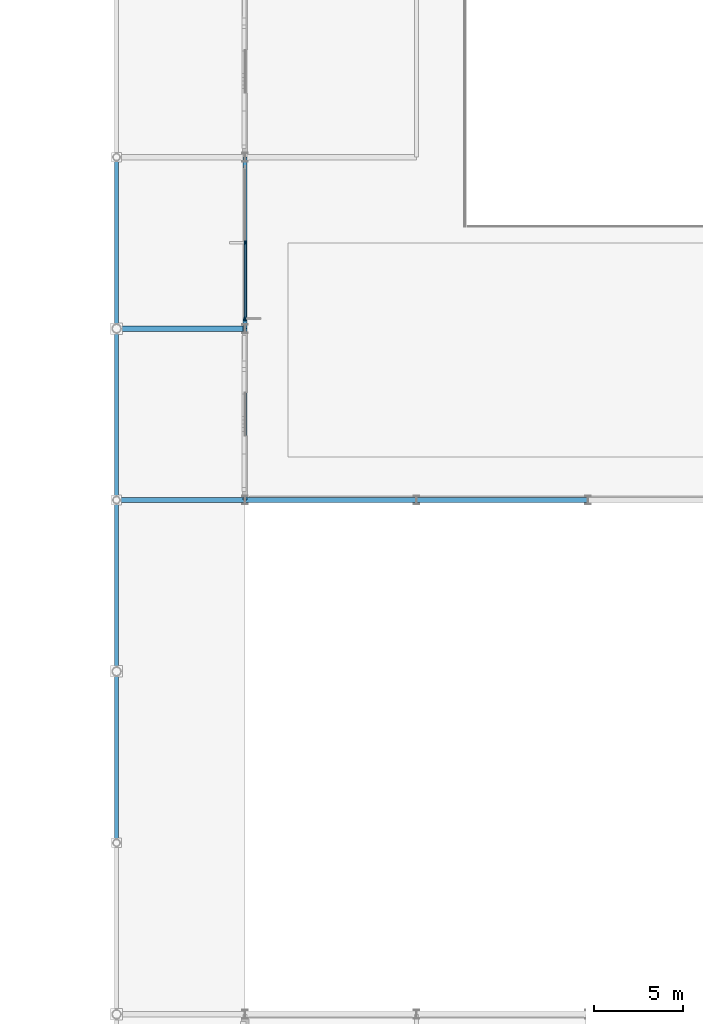
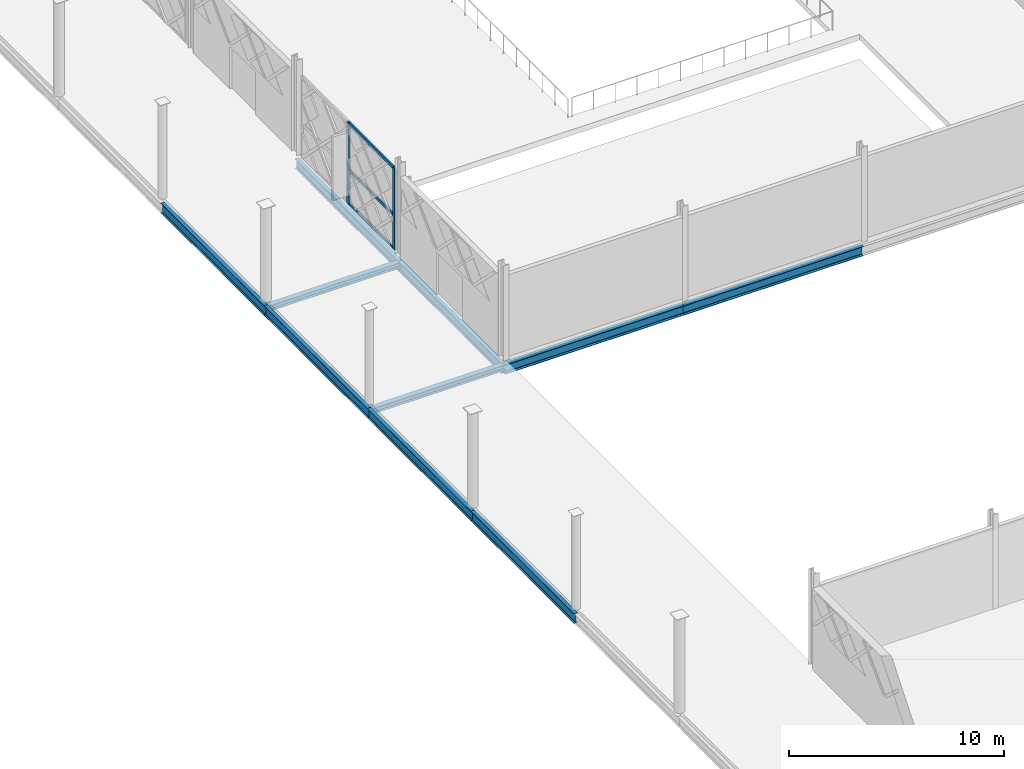
# One storey, part 34 of 84: 10 beams, 5 members, 1 element without a shape of its own.
"""IFC4 building model written with IfcOpenShell, lengths in metres."""

from ifc_helpers import new_model, si_unit, direction, frame, origin, origin_2d, place, context, subcontext, project, spatial, rectangle, i_section, extrude, material, layer, layer_set, material_profile, profile_set, type_object, element, aggregate, save


model = new_model("IFC4")

# Units and contexts
model_context = context("Model", 3, precision=1e-05, world=origin(), true_north=direction((0.0, 1.0)))
body_context = subcontext(model_context, "Body", "Model", "MODEL_VIEW")
ifc_project = project(units=[si_unit("LENGTHUNIT", "METRE"), si_unit("AREAUNIT", "SQUARE_METRE"), si_unit("VOLUMEUNIT", "CUBIC_METRE"), si_unit("PLANEANGLEUNIT", "RADIAN"), si_unit("MASSUNIT", "GRAM", prefix="KILO")], contexts=[model_context])

# Site, building, storey
site_placement = place(None, origin())
site = spatial("IfcSite", under=ifc_project, at=site_placement, CompositionType="ELEMENT")
building_placement = place(site_placement, origin())
building = spatial("IfcBuilding", under=site, at=building_placement, Name="Zevrakil Square Congress Hotel", CompositionType="ELEMENT")
storey_placement = place(building_placement, origin())
storey = spatial("IfcBuildingStorey", under=building, at=storey_placement, Name="L01", CompositionType="ELEMENT", Elevation=0.0)

# Beams
ifc_material_1 = material(Name="Steel S355", Category="steel")
ifc_material_profile_1 = material_profile(ifc_material_1, i_section(OverallWidth=0.300048828125, OverallDepth=0.31005859375, WebThickness=0.009033203125, FlangeThickness=0.015380859375, FilletRadius=0.027099609375, at=origin_2d()), Name="HEA 320")
ifc_profile_set_1 = profile_set([ifc_material_profile_1], Name="Steel S355")
beam_type_1 = type_object("IfcBeamType", Name="BM-HEA320", PredefinedType="BEAM", material=ifc_profile_set_1)
for number, where, z_axis, x_axis, name in (
    (1, (0.0, 74.39990234375, -0.47509765625), (1.0, 0.0, 0.0), (0.0, 1.0, 0.0), "L01 primary girder BX-0379"),
    (2, (0.0, 84.0, -0.47509765625), (1.0, 0.0, 0.0), (0.0, 1.0, 0.0), "L01 primary girder BX-0388"),
):
    element("IfcBeam", number, at=place(storey_placement, frame(where, z_axis=z_axis, x_axis=x_axis)), inside=storey, type_object=beam_type_1, Name=name, PredefinedType="BEAM", context=body_context, shape_type="SweptSolid", body=[
        extrude(i_section(OverallWidth=0.300048828125, OverallDepth=0.31005859375, WebThickness=0.009033203125, FlangeThickness=0.015380859375, FilletRadius=0.027099609375, at=origin_2d()), origin(), (0.0, 0.0, 1.0), 7.199951171875),
    ])
ifc_material_2 = material(Name="Steel S355", Category="steel")
ifc_material_profile_2 = material_profile(ifc_material_2, i_section(OverallWidth=0.300048828125, OverallDepth=0.5400390625, WebThickness=0.012451171875, FlangeThickness=0.02392578125, FilletRadius=0.027099609375, at=origin_2d()), Name="HEA 550")
ifc_profile_set_2 = profile_set([ifc_material_profile_2], Name="Steel S355")
beam_type_2 = type_object("IfcBeamType", Name="BM-HEA550", PredefinedType="BEAM", material=ifc_profile_set_2)
beam_1_placement = place(storey_placement, frame((7.199951171875, 74.39990234375, -0.590087890625), z_axis=(1.0, 0.0, 0.0), x_axis=(0.0, 1.0, 0.0)))
element("IfcBeam", 3, at=beam_1_placement, inside=storey, type_object=beam_type_2, Name="L01 primary girder BX-0380", PredefinedType="BEAM", context=body_context, shape_type="SweptSolid", body=[
    extrude(i_section(OverallWidth=0.300048828125, OverallDepth=0.5400390625, WebThickness=0.012451171875, FlangeThickness=0.02392578125, FilletRadius=0.027099609375, at=origin_2d()), origin(), (0.0, 0.0, 1.0), 9.60009765625),
])
beam_2_placement = place(storey_placement, frame((16.800048828125, 74.39990234375, -0.590087890625), z_axis=(1.0, 0.0, 0.0), x_axis=(0.0, 1.0, 0.0)))
element("IfcBeam", 4, at=beam_2_placement, inside=storey, type_object=beam_type_2, Name="L01 primary girder BX-0381", PredefinedType="BEAM", context=body_context, shape_type="SweptSolid", body=[
    extrude(i_section(OverallWidth=0.300048828125, OverallDepth=0.5400390625, WebThickness=0.012451171875, FlangeThickness=0.02392578125, FilletRadius=0.027099609375, at=origin_2d()), origin(), (0.0, 0.0, 1.0), 9.599853515625),
])
ifc_material_3 = material(Name="Steel S355", Category="steel")
ifc_material_profile_3 = material_profile(ifc_material_3, i_section(OverallWidth=0.2099609375, OverallDepth=0.550048828125, WebThickness=0.010986328125, FlangeThickness=0.01708984375, FilletRadius=0.02392578125, at=origin_2d()), Name="IPE 550")
ifc_profile_set_3 = profile_set([ifc_material_profile_3], Name="Steel S355")
beam_type_3 = type_object("IfcBeamType", Name="BM-IPE550", PredefinedType="BEAM", material=ifc_profile_set_3)
beam_3_placement = place(storey_placement, frame((0.0, 55.199951171875, -0.594970703125), z_axis=(0.0, 1.0, 0.0), x_axis=(-1.0, 0.0, 0.0)))
element("IfcBeam", 5, at=beam_3_placement, inside=storey, type_object=beam_type_3, Name="L01 primary girder BY-0465", PredefinedType="BEAM", context=body_context, shape_type="SweptSolid", body=[
    extrude(i_section(OverallWidth=0.2099609375, OverallDepth=0.550048828125, WebThickness=0.010986328125, FlangeThickness=0.01708984375, FilletRadius=0.02392578125, at=origin_2d()), origin(), (0.0, 0.0, 1.0), 9.60009765625),
])
beam_4_placement = place(storey_placement, frame((0.0, 64.800048828125, -0.594970703125), z_axis=(0.0, 1.0, 0.0), x_axis=(-1.0, 0.0, 0.0)))
element("IfcBeam", 6, at=beam_4_placement, inside=storey, type_object=beam_type_3, Name="L01 primary girder BY-0466", PredefinedType="BEAM", context=body_context, shape_type="SweptSolid", body=[
    extrude(i_section(OverallWidth=0.2099609375, OverallDepth=0.550048828125, WebThickness=0.010986328125, FlangeThickness=0.01708984375, FilletRadius=0.02392578125, at=origin_2d()), origin(), (0.0, 0.0, 1.0), 9.599853515625),
])
for number, where, z_axis, x_axis, name in (
    (7, (0.0, 74.39990234375, -0.594970703125), (0.0, 1.0, 0.0), (-1.0, 0.0, 0.0), "L01 primary girder BY-0467"),
    (8, (0.0, 84.0, -0.594970703125), (0.0, 1.0, 0.0), (-1.0, 0.0, 0.0), "L01 primary girder BY-0468"),
    (9, (7.199951171875, 74.39990234375, -0.594970703125), (0.0, 1.0, 0.0), (-1.0, 0.0, 0.0), "L01 primary girder BY-0476"),
    (10, (7.199951171875, 84.0, -0.594970703125), (0.0, 1.0, 0.0), (-1.0, 0.0, 0.0), "L01 primary girder BY-0477"),
):
    element("IfcBeam", number, at=place(storey_placement, frame(where, z_axis=z_axis, x_axis=x_axis)), inside=storey, type_object=beam_type_3, Name=name, PredefinedType="BEAM", context=body_context, shape_type="SweptSolid", body=[
        extrude(i_section(OverallWidth=0.2099609375, OverallDepth=0.550048828125, WebThickness=0.010986328125, FlangeThickness=0.01708984375, FilletRadius=0.02392578125, at=origin_2d()), origin(), (0.0, 0.0, 1.0), 9.60009765625),
    ])

# Curtain wall, members
ifc_material_4 = material(Name="Aluminium Anodised Bronze", Category="aluminium")
ifc_layer = layer(ifc_material_4, 0.179931640625)
ifc_layer_set = layer_set([ifc_layer], Name="Aluminium Anodised Bronze")
curtain_wall_type = type_object("IfcCurtainWallType", Name="CW-L01-840", PredefinedType="USERDEFINED", material=ifc_layer_set)
curtain_wall_placement = place(storey_placement, origin())
curtain_wall = element("IfcCurtainWall", 11, at=curtain_wall_placement, inside=storey, type_object=curtain_wall_type, Name="L01 diamond curtain wall CW-L01-0020", ObjectType="GLAZED CURTAIN WALL", PredefinedType="USERDEFINED")
ifc_material_5 = material(Name="Aluminium Anodised Bronze", Category="aluminium")
ifc_material_profile_4 = material_profile(ifc_material_5, rectangle(XDim=0.0849609375, YDim=0.179931640625, at=origin_2d()), Name="ALU 85x180")
ifc_profile_set_4 = profile_set([ifc_material_profile_4], Name="Aluminium Anodised Bronze")
member_type_1 = type_object("IfcMemberType", Name="CWM-ALU85x180", PredefinedType="USERDEFINED", material=ifc_profile_set_4)
member_1_placement = place(storey_placement, frame((7.199951171875, 84.580078125, 0.030029296875), z_axis=(0.0, 1.0, 0.0), x_axis=(-1.0, 0.0, 0.0)))
member_1 = element("IfcMember", 12, at=member_1_placement, type_object=member_type_1, Name="CW-11 transom 1.1", ObjectType="TRANSOM", PredefinedType="USERDEFINED", context=body_context, shape_type="SweptSolid", body=[
    extrude(rectangle(XDim=0.0849609375, YDim=0.179931640625, at=origin_2d()), origin(), (0.0, 0.0, 1.0), 4.18994140625),
])
member_2_placement = place(storey_placement, frame((7.199951171875, 84.580078125, 1.9423828125), z_axis=(0.0, 1.0, 0.0), x_axis=(-1.0, 0.0, 0.0)))
member_2 = element("IfcMember", 13, at=member_2_placement, type_object=member_type_1, Name="CW-11 transom 1.2", ObjectType="TRANSOM", PredefinedType="USERDEFINED", context=body_context, shape_type="SweptSolid", body=[
    extrude(rectangle(XDim=0.0849609375, YDim=0.179931640625, at=origin_2d()), origin(), (0.0, 0.0, 1.0), 4.18994140625),
])
member_3_placement = place(storey_placement, frame((7.199951171875, 84.580078125, 4.594970703125), z_axis=(0.0, 1.0, 0.0), x_axis=(-1.0, 0.0, 0.0)))
member_3 = element("IfcMember", 14, at=member_3_placement, type_object=member_type_1, Name="CW-11 transom 1.3", ObjectType="TRANSOM", PredefinedType="USERDEFINED", context=body_context, shape_type="SweptSolid", body=[
    extrude(rectangle(XDim=0.0849609375, YDim=0.179931640625, at=origin_2d()), origin(), (0.0, 0.0, 1.0), 4.18994140625),
])
ifc_material_6 = material(Name="Aluminium Anodised Bronze", Category="aluminium")
ifc_material_profile_5 = material_profile(ifc_material_6, rectangle(XDim=0.0849609375, YDim=0.219970703125, at=origin_2d()), Name="ALU 85x220")
ifc_profile_set_5 = profile_set([ifc_material_profile_5], Name="Aluminium Anodised Bronze")
member_type_2 = type_object("IfcMemberType", Name="CWM-ALU85x220", PredefinedType="MULLION", material=ifc_profile_set_5)
member_4_placement = place(storey_placement, frame((7.199951171875, 84.550048828125, 0.0), z_axis=(0.0, 0.0, 1.0), x_axis=(-1.0, 0.0, 0.0)))
member_4 = element("IfcMember", 15, at=member_4_placement, type_object=member_type_2, Name="CW-11 mullion 1", PredefinedType="MULLION", context=body_context, shape_type="SweptSolid", body=[
    extrude(rectangle(XDim=0.0849609375, YDim=0.219970703125, at=origin_2d()), origin(), (0.0, 0.0, 1.0), 4.625),
])
member_5_placement = place(storey_placement, frame((7.199951171875, 88.800048828125, 0.0), z_axis=(0.0, 0.0, 1.0), x_axis=(-1.0, 0.0, 0.0)))
member_5 = element("IfcMember", 16, at=member_5_placement, type_object=member_type_2, Name="CW-11 mullion 2", PredefinedType="MULLION", context=body_context, shape_type="SweptSolid", body=[
    extrude(rectangle(XDim=0.0849609375, YDim=0.219970703125, at=origin_2d()), origin(), (0.0, 0.0, 1.0), 4.625),
])
aggregate(curtain_wall, [member_4, member_5, member_1, member_2, member_3])

save(model, "model.ifc")
